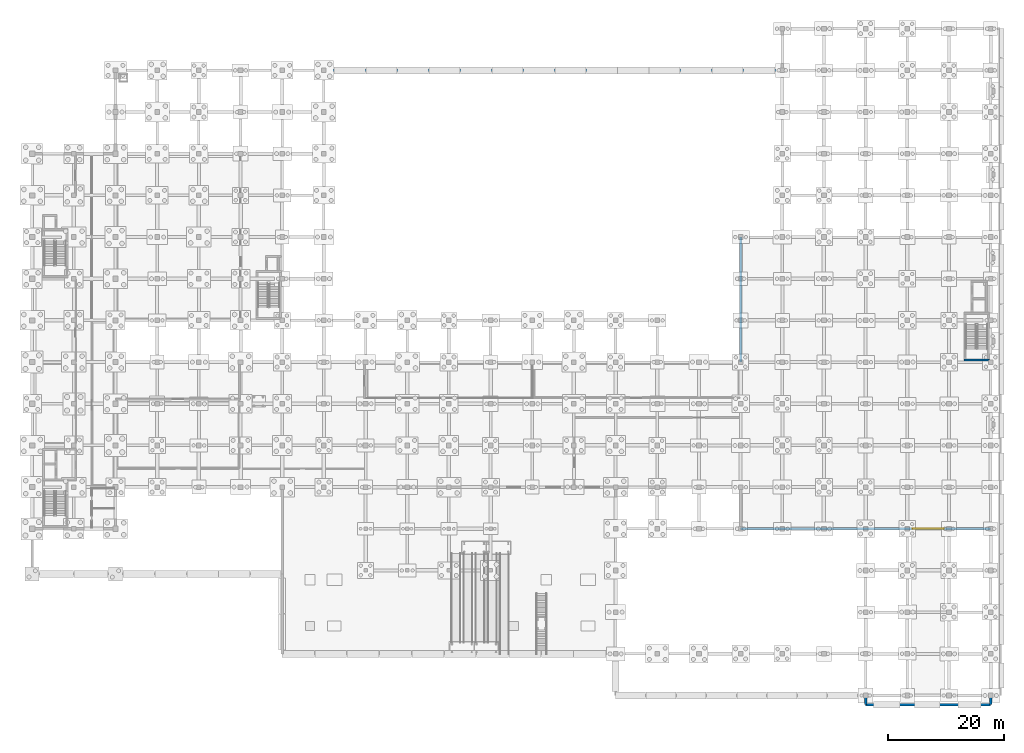
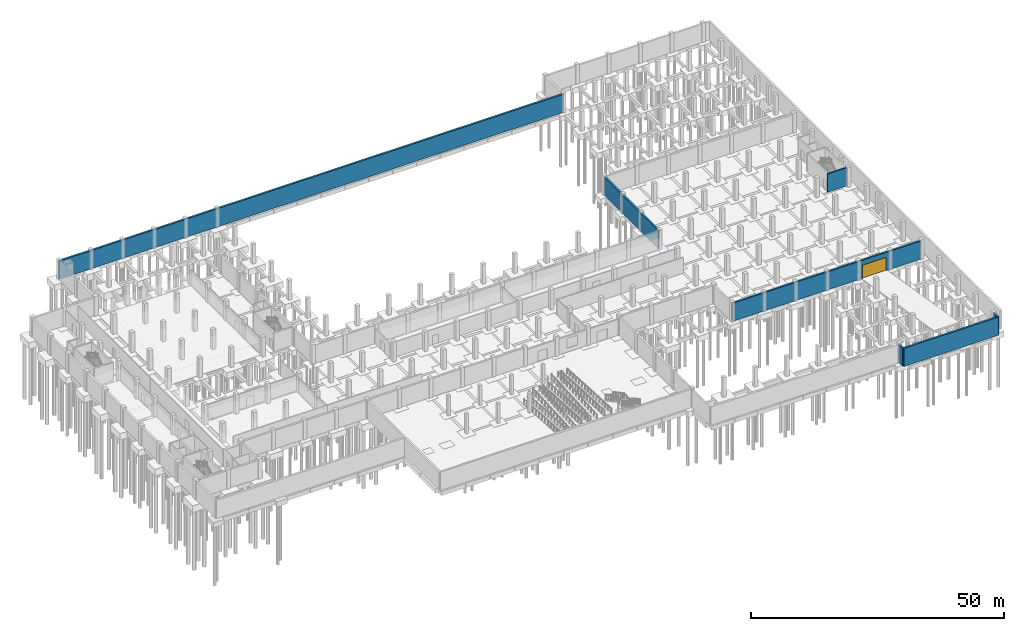
# One storey, part 27 of 38: 7 walls, 1 door, 1 opening.
"""IFC4 building model written with IfcOpenShell, lengths in metres."""

from ifc_helpers import new_model, si_unit, direction, frame, frame_2d, origin, place, context, subcontext, project, spatial, rectangle, extrude, material, layer, layer_set, type_object, element, fill, save


model = new_model("IFC4")

# Units and contexts
model_context = context("Model", 3, precision=1e-05, world=origin(), true_north=direction((0.0, 1.0)))
body_context = subcontext(model_context, "Body", "Model", "MODEL_VIEW")
ifc_project = project(units=[si_unit("LENGTHUNIT", "METRE"), si_unit("AREAUNIT", "SQUARE_METRE"), si_unit("VOLUMEUNIT", "CUBIC_METRE"), si_unit("PLANEANGLEUNIT", "RADIAN"), si_unit("MASSUNIT", "GRAM", prefix="KILO")], contexts=[model_context])

# Site, building, storey
site_placement = place(None, origin())
site = spatial("IfcSite", under=ifc_project, at=site_placement, CompositionType="ELEMENT")
building_placement = place(site_placement, origin())
building = spatial("IfcBuilding", under=site, at=building_placement, Name="Valkovuoma Quantum and Materials Research Institute", CompositionType="ELEMENT")
storey_placement = place(building_placement, frame((0.0, 0.0, -4.800048828125)))
storey = spatial("IfcBuildingStorey", under=building, at=storey_placement, Name="B1", CompositionType="ELEMENT", Elevation=-4.800048828125)

# Walls
ifc_material_1 = material(Name="Concrete C40/50", Category="concrete")
ifc_layer_1 = layer(ifc_material_1, 0.300048828125)
ifc_layer_set_1 = layer_set([ifc_layer_1], Name="Concrete C40/50")
wall_type_1 = type_object("IfcWallType", Name="Wall-W-COR300", PredefinedType="SHEAR", material=ifc_layer_set_1)
wall_1_placement = place(storey_placement, frame((161.0, 57.949951171875, 0.0), z_axis=(0.0, 0.0, 1.0), x_axis=(1.0, 0.0, 0.0)))
element("IfcWall", 1, at=wall_1_placement, inside=storey, type_object=wall_type_1, Name="B1 core wall 0199", PredefinedType="SHEAR", context=body_context, shape_type="SweptSolid", body=[
    extrude(rectangle(XDim=4.35009765625, YDim=0.300048828125, at=frame_2d((2.175048828125, 0.0))), origin(), (0.0, 0.0, 1.0), 4.400146484375),
])
ifc_material_2 = material(Name="Concrete C35/45", Category="concrete")
ifc_layer_2 = layer(ifc_material_2, 0.39990234375)
ifc_layer_set_2 = layer_set([ifc_layer_2], Name="Concrete C35/45")
wall_type_2 = type_object("IfcWallType", Name="Wall-W-RET400", PredefinedType="STANDARD", material=ifc_layer_set_2)
wall_2_placement = place(storey_placement, frame((122.39990234375, 57.60009765625, 0.0), z_axis=(0.0, 0.0, 1.0), x_axis=(0.0, 1.0, 0.0)))
element("IfcWall", 2, at=wall_2_placement, inside=storey, type_object=wall_type_2, Name="B1 exterior wall 0019", PredefinedType="STANDARD", context=body_context, shape_type="SweptSolid", body=[
    extrude(rectangle(XDim=21.599853515625, YDim=0.39990234375, at=frame_2d((10.7998046875, 0.0))), origin(), (0.0, 0.0, 1.0), 4.400146484375),
])

# Wall, opening, door
wall_3_placement = place(storey_placement, frame((122.39990234375, 28.800048828125, 0.0), z_axis=(0.0, 0.0, 1.0), x_axis=(1.0, 0.0, 0.0)))
wall_3 = element("IfcWall", 3, at=wall_3_placement, inside=storey, type_object=wall_type_2, Name="B1 exterior wall 0021", PredefinedType="STANDARD", context=body_context, shape_type="SweptSolid", body=[
    extrude(rectangle(XDim=43.2001953125, YDim=0.39990234375, at=frame_2d((21.60009765625, 0.0))), origin(), (0.0, 0.0, 1.0), 4.400146484375),
])
opening_placement = place(wall_3_placement, frame((29.699951171875, 0.0, 0.0)))
opening = element("IfcOpeningElement", 4, at=opening_placement, cuts=wall_3, Name="Opening GT-001", PredefinedType="OPENING", context=body_context, shape_type="SweptSolid", body=[
    extrude(rectangle(XDim=5.39990234375, YDim=3.199951171875, at=frame_2d((2.699951171875, 1.60009765625))), frame((0.0, 0.2099609375, 0.0), z_axis=(0.0, -1.0, 0.0), x_axis=(1.0, 0.0, 0.0)), (0.0, 0.0, 1.0), 0.419921875),
])
ifc_material_3 = material(Name="Thermally broken insulated aluminium and steel door", Category="steel")
door_type = type_object("IfcDoorType", Name="Door-GT-VH01", OperationType="NOTDEFINED", PredefinedType="GATE", material=ifc_material_3)
door_placement = place(opening_placement, frame((5.39990234375, 0.0, 0.0), z_axis=(0.0, 0.0, 1.0), x_axis=(-1.0, 0.0, 0.0)))
door = element("IfcDoor", 5, at=door_placement, inside=storey, type_object=door_type, Name="B1 exterior door 001", OperationType="ROLLINGUP", OverallHeight=3.199951171875, OverallWidth=5.39990234375, PredefinedType="GATE", context=body_context, shape_type="SweptSolid", body=[
    extrude(rectangle(XDim=5.39990234375, YDim=3.199951171875, at=frame_2d((2.699951171875, 1.60009765625))), frame((0.0, 0.02490234375, 0.0), z_axis=(0.0, -1.0, 0.0), x_axis=(1.0, 0.0, 0.0)), (0.0, 0.0, 1.0), 0.050048828125),
])
fill(opening, door)

# Walls
ifc_material_4 = material(Name="Concrete C35/45", Category="concrete")
ifc_layer_3 = layer(ifc_material_4, 0.449951171875)
ifc_layer_set_3 = layer_set([ifc_layer_3], Name="Concrete C35/45")
wall_type_3 = type_object("IfcWallType", Name="Wall-W-RET450", PredefinedType="STANDARD", material=ifc_layer_set_3)
wall_4_placement = place(storey_placement, frame((14.39990234375, 108.0, 0.0), z_axis=(0.0, 0.0, 1.0), x_axis=(1.0, 0.0, 0.0)))
element("IfcWall", 6, at=wall_4_placement, inside=storey, type_object=wall_type_3, Name="B1 exterior wall 0004", PredefinedType="STANDARD", context=body_context, shape_type="SweptSolid", body=[
    extrude(rectangle(XDim=115.2001953125, YDim=0.449951171875, at=frame_2d((57.60009765625, 0.0))), origin(), (0.0, 0.0, 1.0), 4.400146484375),
])
wall_5_placement = place(storey_placement, frame((165.60009765625, -1.60009765625, 0.0), z_axis=(0.0, 0.0, 1.0), x_axis=(0.0, 1.0, 0.0)))
element("IfcWall", 7, at=wall_5_placement, inside=storey, type_object=wall_type_3, Name="B1 exterior wall 0008", PredefinedType="STANDARD", context=body_context, shape_type="SweptSolid", body=[
    extrude(rectangle(XDim=1.60009765625, YDim=0.449951171875, at=frame_2d((0.800048828125, 0.0))), origin(), (0.0, 0.0, 1.0), 4.400146484375),
])
wall_6_placement = place(storey_placement, frame((144.0, -1.60009765625, 0.0), z_axis=(0.0, 0.0, 1.0), x_axis=(1.0, 0.0, 0.0)))
element("IfcWall", 8, at=wall_6_placement, inside=storey, type_object=wall_type_3, Name="B1 exterior wall 0009", PredefinedType="STANDARD", context=body_context, shape_type="SweptSolid", body=[
    extrude(rectangle(XDim=21.60009765625, YDim=0.449951171875, at=frame_2d((10.800048828125, 0.0))), origin(), (0.0, 0.0, 1.0), 4.400146484375),
])
wall_7_placement = place(storey_placement, frame((144.0, -1.60009765625, 0.0), z_axis=(0.0, 0.0, 1.0), x_axis=(0.0, 1.0, 0.0)))
element("IfcWall", 9, at=wall_7_placement, inside=storey, type_object=wall_type_3, Name="B1 exterior wall 0010", PredefinedType="STANDARD", context=body_context, shape_type="SweptSolid", body=[
    extrude(rectangle(XDim=1.60009765625, YDim=0.449951171875, at=frame_2d((0.800048828125, 0.0))), origin(), (0.0, 0.0, 1.0), 4.400146484375),
])

save(model, "model.ifc")
